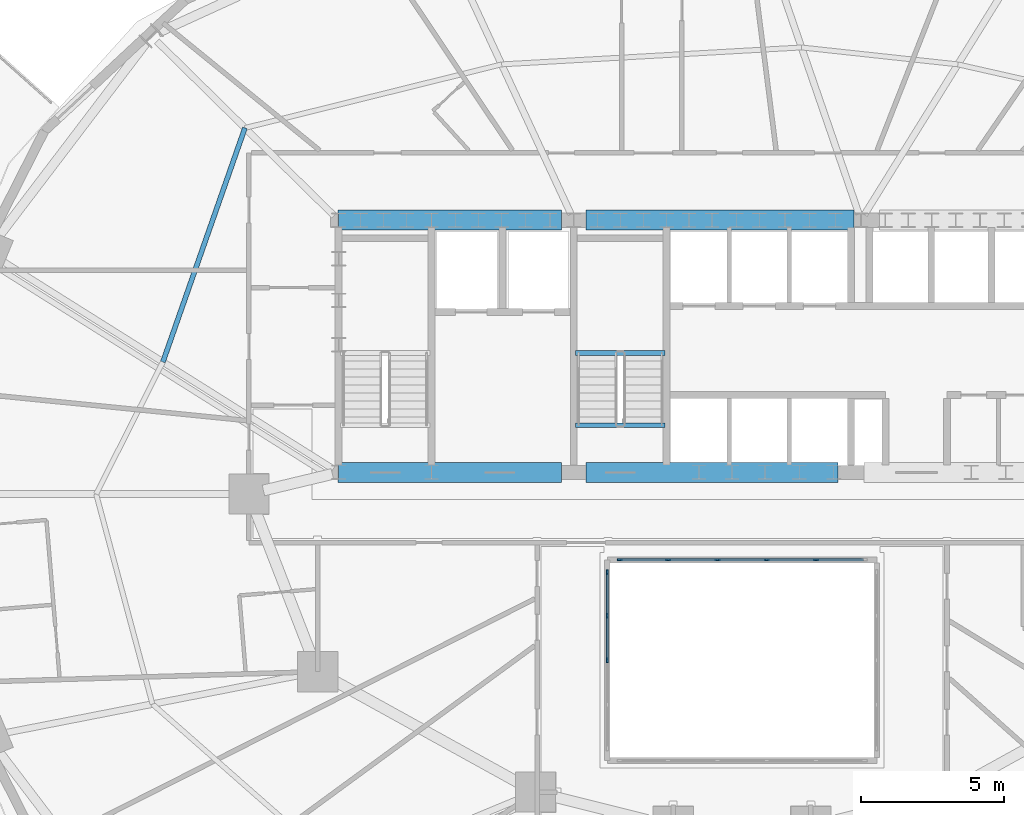
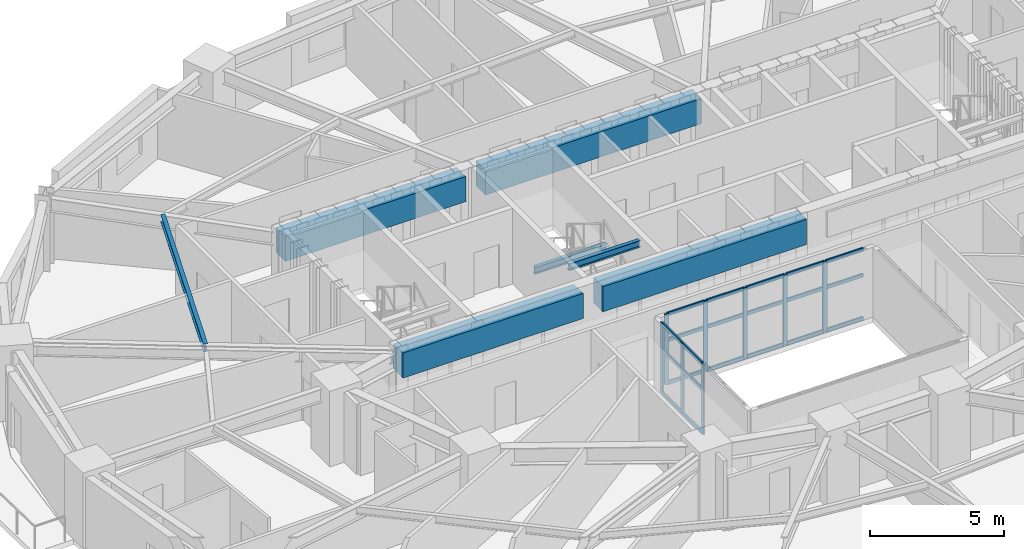
# One storey, part 4 of 15: 29 members, 7 beams, 2 elements without a shape of their own.
"""IFC4 building model written with IfcOpenShell, lengths in metres."""

from ifc_helpers import new_model, si_unit, direction, frame, origin, origin_2d, place, context, subcontext, project, spatial, rectangle, i_section, extrude, material, material_profile, profile_set, type_object, element, aggregate, save


model = new_model("IFC4")

# Units and contexts
model_context = context("Model", 3, precision=1e-05, world=origin(), true_north=direction((0.0, 1.0)))
body_context = subcontext(model_context, "Body", "Model", "MODEL_VIEW")
ifc_project = project(units=[si_unit("LENGTHUNIT", "METRE"), si_unit("AREAUNIT", "SQUARE_METRE"), si_unit("VOLUMEUNIT", "CUBIC_METRE"), si_unit("PLANEANGLEUNIT", "RADIAN"), si_unit("MASSUNIT", "GRAM", prefix="KILO")], contexts=[model_context])

# Site, building, storey
site_placement = place(None, origin())
site = spatial("IfcSite", under=ifc_project, at=site_placement, CompositionType="ELEMENT")
building_placement = place(site_placement, origin())
building = spatial("IfcBuilding", under=site, at=building_placement, Name="Haldorwick Loom Tower", CompositionType="ELEMENT")
storey_placement = place(building_placement, frame((0.0, 0.0, 92.14990234375)))
storey = spatial("IfcBuildingStorey", under=building, at=storey_placement, Name="L24", CompositionType="ELEMENT", Elevation=92.14990234375)

# Curtain wall, members
ifc_material_1 = material(Name="Thermally Broken Anodized Aluminium Curtain Wall Framing", Category="aluminium")
curtain_wall_type = type_object("IfcCurtainWallType", Name="ARC-CW-03", PredefinedType="NOTDEFINED", material=ifc_material_1)
curtain_wall_1_placement = place(storey_placement, origin())
curtain_wall_1 = element("IfcCurtainWall", 1, at=curtain_wall_1_placement, inside=storey, type_object=curtain_wall_type, Name="L24 Atrium Glazed Screen N", PredefinedType="NOTDEFINED")
ifc_material_profile_1 = material_profile(ifc_material_1, rectangle(XDim=0.06591796875, YDim=0.18505859375, at=origin_2d()), Name="ALU_MUL_66X185", Category="aluminium")
ifc_profile_set_1 = profile_set([ifc_material_profile_1], Name="Thermally Broken Anodized Aluminium Curtain Wall Framing")
member_type_1 = type_object("IfcMemberType", Name="ARC-CWM-03", PredefinedType="MULLION", material=ifc_profile_set_1)
member_1_placement = place(storey_placement, frame((31.73291015625, 23.699951171875, 0.0), z_axis=(0.0, 0.0, 1.0), x_axis=(0.0, 1.0, 0.0)))
member_1 = element("IfcMember", 2, at=member_1_placement, type_object=member_type_1, Name="CW-03 mullion 1", PredefinedType="MULLION", context=body_context, shape_type="SweptSolid", body=[
    extrude(rectangle(XDim=0.06591796875, YDim=0.18505859375, at=origin_2d()), origin(), (0.0, 0.0, 1.0), 3.210205078125),
])
member_2_placement = place(storey_placement, frame((33.419921875, 23.699951171875, 0.0), z_axis=(0.0, 0.0, 1.0), x_axis=(0.0, 1.0, 0.0)))
member_2 = element("IfcMember", 3, at=member_2_placement, type_object=member_type_1, Name="CW-03 mullion 2", PredefinedType="MULLION", context=body_context, shape_type="SweptSolid", body=[
    extrude(rectangle(XDim=0.06591796875, YDim=0.18505859375, at=origin_2d()), origin(), (0.0, 0.0, 1.0), 3.210205078125),
])
member_3_placement = place(storey_placement, frame((35.139892578125, 23.699951171875, 0.0), z_axis=(0.0, 0.0, 1.0), x_axis=(0.0, 1.0, 0.0)))
member_3 = element("IfcMember", 4, at=member_3_placement, type_object=member_type_1, Name="CW-03 mullion 3", PredefinedType="MULLION", context=body_context, shape_type="SweptSolid", body=[
    extrude(rectangle(XDim=0.06591796875, YDim=0.18505859375, at=origin_2d()), origin(), (0.0, 0.0, 1.0), 3.210205078125),
])
member_4_placement = place(storey_placement, frame((36.860107421875, 23.699951171875, 0.0), z_axis=(0.0, 0.0, 1.0), x_axis=(0.0, 1.0, 0.0)))
member_4 = element("IfcMember", 5, at=member_4_placement, type_object=member_type_1, Name="CW-03 mullion 4", PredefinedType="MULLION", context=body_context, shape_type="SweptSolid", body=[
    extrude(rectangle(XDim=0.06591796875, YDim=0.18505859375, at=origin_2d()), origin(), (0.0, 0.0, 1.0), 3.210205078125),
])
member_5_placement = place(storey_placement, frame((38.580078125, 23.699951171875, 0.0), z_axis=(0.0, 0.0, 1.0), x_axis=(0.0, 1.0, 0.0)))
member_5 = element("IfcMember", 6, at=member_5_placement, type_object=member_type_1, Name="CW-03 mullion 5", PredefinedType="MULLION", context=body_context, shape_type="SweptSolid", body=[
    extrude(rectangle(XDim=0.06591796875, YDim=0.18505859375, at=origin_2d()), origin(), (0.0, 0.0, 1.0), 3.210205078125),
])

curtain_wall_2_placement = place(storey_placement, origin())
curtain_wall_2 = element("IfcCurtainWall", 7, at=curtain_wall_2_placement, inside=storey, type_object=curtain_wall_type, Name="L24 Atrium Glazed Screen W", PredefinedType="NOTDEFINED")
member_6_placement = place(storey_placement, frame((31.300048828125, 20.199951171875, 0.0), z_axis=(0.0, 0.0, 1.0), x_axis=(-1.0, 0.0, 0.0)))
member_6 = element("IfcMember", 8, at=member_6_placement, type_object=member_type_1, Name="CW-03 mullion 3", PredefinedType="MULLION", context=body_context, shape_type="SweptSolid", body=[
    extrude(rectangle(XDim=0.06591796875, YDim=0.18505859375, at=origin_2d()), origin(), (0.0, 0.0, 1.0), 3.210205078125),
])
member_7_placement = place(storey_placement, frame((31.300048828125, 21.75, 0.0), z_axis=(0.0, 0.0, 1.0), x_axis=(-1.0, 0.0, 0.0)))
member_7 = element("IfcMember", 9, at=member_7_placement, type_object=member_type_1, Name="CW-03 mullion 4", PredefinedType="MULLION", context=body_context, shape_type="SweptSolid", body=[
    extrude(rectangle(XDim=0.06591796875, YDim=0.18505859375, at=origin_2d()), origin(), (0.0, 0.0, 1.0), 3.210205078125),
])
member_8_placement = place(storey_placement, frame((31.300048828125, 23.26708984375, 0.0), z_axis=(0.0, 0.0, 1.0), x_axis=(-1.0, 0.0, 0.0)))
member_8 = element("IfcMember", 10, at=member_8_placement, type_object=member_type_1, Name="CW-03 mullion 5", PredefinedType="MULLION", context=body_context, shape_type="SweptSolid", body=[
    extrude(rectangle(XDim=0.06591796875, YDim=0.18505859375, at=origin_2d()), origin(), (0.0, 0.0, 1.0), 3.210205078125),
])

# Member
ifc_material_profile_2 = material_profile(ifc_material_1, rectangle(XDim=0.06591796875, YDim=0.1650390625, at=origin_2d()), Name="ALU_TRN_66X165", Category="aluminium")
ifc_profile_set_2 = profile_set([ifc_material_profile_2], Name="Thermally Broken Anodized Aluminium Curtain Wall Framing")
member_type_2 = type_object("IfcMemberType", Name="ARC-CWT-03", PredefinedType="USERDEFINED", material=ifc_profile_set_2)
member_9_placement = place(storey_placement, frame((31.76611328125, 23.699951171875, 0.033203125), z_axis=(1.0, 0.0, 0.0), x_axis=(0.0, 1.0, 0.0)))
member_9 = element("IfcMember", 11, at=member_9_placement, type_object=member_type_2, Name="CW-03 transom 1.1", ObjectType="TRANSOM", PredefinedType="USERDEFINED", context=body_context, shape_type="SweptSolid", body=[
    extrude(rectangle(XDim=0.06591796875, YDim=0.1650390625, at=origin_2d()), origin(), (0.0, 0.0, 1.0), 1.620849609375),
])

member_10_placement = place(storey_placement, frame((31.76611328125, 23.699951171875, 2.0), z_axis=(1.0, 0.0, 0.0), x_axis=(0.0, 1.0, 0.0)))
member_10 = element("IfcMember", 12, at=member_10_placement, type_object=member_type_2, Name="CW-03 transom 1.2", ObjectType="TRANSOM", PredefinedType="USERDEFINED", context=body_context, shape_type="SweptSolid", body=[
    extrude(rectangle(XDim=0.06591796875, YDim=0.1650390625, at=origin_2d()), origin(), (0.0, 0.0, 1.0), 1.620849609375),
])

member_11_placement = place(storey_placement, frame((31.76611328125, 23.699951171875, 3.177001953125), z_axis=(1.0, 0.0, 0.0), x_axis=(0.0, 1.0, 0.0)))
member_11 = element("IfcMember", 13, at=member_11_placement, type_object=member_type_2, Name="CW-03 transom 1.3", ObjectType="TRANSOM", PredefinedType="USERDEFINED", context=body_context, shape_type="SweptSolid", body=[
    extrude(rectangle(XDim=0.06591796875, YDim=0.1650390625, at=origin_2d()), origin(), (0.0, 0.0, 1.0), 1.620849609375),
])

member_12_placement = place(storey_placement, frame((33.452880859375, 23.699951171875, 0.033203125), z_axis=(1.0, 0.0, 0.0), x_axis=(0.0, 1.0, 0.0)))
member_12 = element("IfcMember", 14, at=member_12_placement, type_object=member_type_2, Name="CW-03 transom 2.1", ObjectType="TRANSOM", PredefinedType="USERDEFINED", context=body_context, shape_type="SweptSolid", body=[
    extrude(rectangle(XDim=0.06591796875, YDim=0.1650390625, at=origin_2d()), origin(), (0.0, 0.0, 1.0), 1.654052734375),
])

member_13_placement = place(storey_placement, frame((33.452880859375, 23.699951171875, 2.0), z_axis=(1.0, 0.0, 0.0), x_axis=(0.0, 1.0, 0.0)))
member_13 = element("IfcMember", 15, at=member_13_placement, type_object=member_type_2, Name="CW-03 transom 2.2", ObjectType="TRANSOM", PredefinedType="USERDEFINED", context=body_context, shape_type="SweptSolid", body=[
    extrude(rectangle(XDim=0.06591796875, YDim=0.1650390625, at=origin_2d()), origin(), (0.0, 0.0, 1.0), 1.654052734375),
])

member_14_placement = place(storey_placement, frame((33.452880859375, 23.699951171875, 3.177001953125), z_axis=(1.0, 0.0, 0.0), x_axis=(0.0, 1.0, 0.0)))
member_14 = element("IfcMember", 16, at=member_14_placement, type_object=member_type_2, Name="CW-03 transom 2.3", ObjectType="TRANSOM", PredefinedType="USERDEFINED", context=body_context, shape_type="SweptSolid", body=[
    extrude(rectangle(XDim=0.06591796875, YDim=0.1650390625, at=origin_2d()), origin(), (0.0, 0.0, 1.0), 1.654052734375),
])

member_15_placement = place(storey_placement, frame((35.173095703125, 23.699951171875, 0.033203125), z_axis=(1.0, 0.0, 0.0), x_axis=(0.0, 1.0, 0.0)))
member_15 = element("IfcMember", 17, at=member_15_placement, type_object=member_type_2, Name="CW-03 transom 3.1", ObjectType="TRANSOM", PredefinedType="USERDEFINED", context=body_context, shape_type="SweptSolid", body=[
    extrude(rectangle(XDim=0.06591796875, YDim=0.1650390625, at=origin_2d()), origin(), (0.0, 0.0, 1.0), 1.65380859375),
])

member_16_placement = place(storey_placement, frame((35.173095703125, 23.699951171875, 2.0), z_axis=(1.0, 0.0, 0.0), x_axis=(0.0, 1.0, 0.0)))
member_16 = element("IfcMember", 18, at=member_16_placement, type_object=member_type_2, Name="CW-03 transom 3.2", ObjectType="TRANSOM", PredefinedType="USERDEFINED", context=body_context, shape_type="SweptSolid", body=[
    extrude(rectangle(XDim=0.06591796875, YDim=0.1650390625, at=origin_2d()), origin(), (0.0, 0.0, 1.0), 1.65380859375),
])

member_17_placement = place(storey_placement, frame((35.173095703125, 23.699951171875, 3.177001953125), z_axis=(1.0, 0.0, 0.0), x_axis=(0.0, 1.0, 0.0)))
member_17 = element("IfcMember", 19, at=member_17_placement, type_object=member_type_2, Name="CW-03 transom 3.3", ObjectType="TRANSOM", PredefinedType="USERDEFINED", context=body_context, shape_type="SweptSolid", body=[
    extrude(rectangle(XDim=0.06591796875, YDim=0.1650390625, at=origin_2d()), origin(), (0.0, 0.0, 1.0), 1.65380859375),
])

member_18_placement = place(storey_placement, frame((36.89306640625, 23.699951171875, 0.033203125), z_axis=(1.0, 0.0, 0.0), x_axis=(0.0, 1.0, 0.0)))
member_18 = element("IfcMember", 20, at=member_18_placement, type_object=member_type_2, Name="CW-03 transom 4.1", ObjectType="TRANSOM", PredefinedType="USERDEFINED", context=body_context, shape_type="SweptSolid", body=[
    extrude(rectangle(XDim=0.06591796875, YDim=0.1650390625, at=origin_2d()), origin(), (0.0, 0.0, 1.0), 1.654052734375),
])

member_19_placement = place(storey_placement, frame((36.89306640625, 23.699951171875, 2.0), z_axis=(1.0, 0.0, 0.0), x_axis=(0.0, 1.0, 0.0)))
member_19 = element("IfcMember", 21, at=member_19_placement, type_object=member_type_2, Name="CW-03 transom 4.2", ObjectType="TRANSOM", PredefinedType="USERDEFINED", context=body_context, shape_type="SweptSolid", body=[
    extrude(rectangle(XDim=0.06591796875, YDim=0.1650390625, at=origin_2d()), origin(), (0.0, 0.0, 1.0), 1.654052734375),
])

member_20_placement = place(storey_placement, frame((36.89306640625, 23.699951171875, 3.177001953125), z_axis=(1.0, 0.0, 0.0), x_axis=(0.0, 1.0, 0.0)))
member_20 = element("IfcMember", 22, at=member_20_placement, type_object=member_type_2, Name="CW-03 transom 4.3", ObjectType="TRANSOM", PredefinedType="USERDEFINED", context=body_context, shape_type="SweptSolid", body=[
    extrude(rectangle(XDim=0.06591796875, YDim=0.1650390625, at=origin_2d()), origin(), (0.0, 0.0, 1.0), 1.654052734375),
])

member_21_placement = place(storey_placement, frame((38.613037109375, 23.699951171875, 0.033203125), z_axis=(1.0, 0.0, 0.0), x_axis=(0.0, 1.0, 0.0)))
member_21 = element("IfcMember", 23, at=member_21_placement, type_object=member_type_2, Name="CW-03 transom 5.1", ObjectType="TRANSOM", PredefinedType="USERDEFINED", context=body_context, shape_type="SweptSolid", body=[
    extrude(rectangle(XDim=0.06591796875, YDim=0.1650390625, at=origin_2d()), origin(), (0.0, 0.0, 1.0), 1.620849609375),
])

member_22_placement = place(storey_placement, frame((38.613037109375, 23.699951171875, 2.0), z_axis=(1.0, 0.0, 0.0), x_axis=(0.0, 1.0, 0.0)))
member_22 = element("IfcMember", 24, at=member_22_placement, type_object=member_type_2, Name="CW-03 transom 5.2", ObjectType="TRANSOM", PredefinedType="USERDEFINED", context=body_context, shape_type="SweptSolid", body=[
    extrude(rectangle(XDim=0.06591796875, YDim=0.1650390625, at=origin_2d()), origin(), (0.0, 0.0, 1.0), 1.620849609375),
])

member_23_placement = place(storey_placement, frame((38.613037109375, 23.699951171875, 3.177001953125), z_axis=(1.0, 0.0, 0.0), x_axis=(0.0, 1.0, 0.0)))
member_23 = element("IfcMember", 25, at=member_23_placement, type_object=member_type_2, Name="CW-03 transom 5.3", ObjectType="TRANSOM", PredefinedType="USERDEFINED", context=body_context, shape_type="SweptSolid", body=[
    extrude(rectangle(XDim=0.06591796875, YDim=0.1650390625, at=origin_2d()), origin(), (0.0, 0.0, 1.0), 1.620849609375),
])

aggregate(curtain_wall_1, [member_1, member_2, member_3, member_4, member_5, member_9, member_10, member_11, member_12, member_13, member_14, member_15, member_16, member_17, member_18, member_19, member_20, member_21, member_22, member_23])

member_24_placement = place(storey_placement, frame((31.300048828125, 20.23291015625, 0.033203125), z_axis=(0.0, 1.0, 0.0), x_axis=(-1.0, 0.0, 0.0)))
member_24 = element("IfcMember", 26, at=member_24_placement, type_object=member_type_2, Name="CW-03 transom 3.1", ObjectType="TRANSOM", PredefinedType="USERDEFINED", context=body_context, shape_type="SweptSolid", body=[
    extrude(rectangle(XDim=0.06591796875, YDim=0.1650390625, at=origin_2d()), origin(), (0.0, 0.0, 1.0), 1.484130859375),
])

member_25_placement = place(storey_placement, frame((31.300048828125, 20.23291015625, 2.0), z_axis=(0.0, 1.0, 0.0), x_axis=(-1.0, 0.0, 0.0)))
member_25 = element("IfcMember", 27, at=member_25_placement, type_object=member_type_2, Name="CW-03 transom 3.2", ObjectType="TRANSOM", PredefinedType="USERDEFINED", context=body_context, shape_type="SweptSolid", body=[
    extrude(rectangle(XDim=0.06591796875, YDim=0.1650390625, at=origin_2d()), origin(), (0.0, 0.0, 1.0), 1.484130859375),
])

member_26_placement = place(storey_placement, frame((31.300048828125, 20.23291015625, 3.177001953125), z_axis=(0.0, 1.0, 0.0), x_axis=(-1.0, 0.0, 0.0)))
member_26 = element("IfcMember", 28, at=member_26_placement, type_object=member_type_2, Name="CW-03 transom 3.3", ObjectType="TRANSOM", PredefinedType="USERDEFINED", context=body_context, shape_type="SweptSolid", body=[
    extrude(rectangle(XDim=0.06591796875, YDim=0.1650390625, at=origin_2d()), origin(), (0.0, 0.0, 1.0), 1.484130859375),
])

member_27_placement = place(storey_placement, frame((31.300048828125, 21.782958984375, 0.033203125), z_axis=(0.0, 1.0, 0.0), x_axis=(-1.0, 0.0, 0.0)))
member_27 = element("IfcMember", 29, at=member_27_placement, type_object=member_type_2, Name="CW-03 transom 4.1", ObjectType="TRANSOM", PredefinedType="USERDEFINED", context=body_context, shape_type="SweptSolid", body=[
    extrude(rectangle(XDim=0.06591796875, YDim=0.1650390625, at=origin_2d()), origin(), (0.0, 0.0, 1.0), 1.450927734375),
])

member_28_placement = place(storey_placement, frame((31.300048828125, 21.782958984375, 2.0), z_axis=(0.0, 1.0, 0.0), x_axis=(-1.0, 0.0, 0.0)))
member_28 = element("IfcMember", 30, at=member_28_placement, type_object=member_type_2, Name="CW-03 transom 4.2", ObjectType="TRANSOM", PredefinedType="USERDEFINED", context=body_context, shape_type="SweptSolid", body=[
    extrude(rectangle(XDim=0.06591796875, YDim=0.1650390625, at=origin_2d()), origin(), (0.0, 0.0, 1.0), 1.450927734375),
])

member_29_placement = place(storey_placement, frame((31.300048828125, 21.782958984375, 3.177001953125), z_axis=(0.0, 1.0, 0.0), x_axis=(-1.0, 0.0, 0.0)))
member_29 = element("IfcMember", 31, at=member_29_placement, type_object=member_type_2, Name="CW-03 transom 4.3", ObjectType="TRANSOM", PredefinedType="USERDEFINED", context=body_context, shape_type="SweptSolid", body=[
    extrude(rectangle(XDim=0.06591796875, YDim=0.1650390625, at=origin_2d()), origin(), (0.0, 0.0, 1.0), 1.450927734375),
])

aggregate(curtain_wall_2, [member_6, member_7, member_8, member_24, member_25, member_26, member_27, member_28, member_29])

# Beams
ifc_material_2 = material(Name="Concrete C60 (60 MPa)", Category="concrete")
ifc_material_profile_3 = material_profile(ifc_material_2, rectangle(XDim=0.699951171875, YDim=1.14990234375, at=origin_2d()), Name="RC700X1150", Category="concrete")
ifc_profile_set_3 = profile_set([ifc_material_profile_3], Name="Concrete C60 (60 MPa)")
beam_type_1 = type_object("IfcBeamType", Name="STR-BM-CB1150", PredefinedType="LINTEL", material=ifc_profile_set_3)
beam_1_placement = place(storey_placement, frame((21.89990234375, 35.550048828125, 2.635009765625), z_axis=(1.0, 0.0, 0.0), x_axis=(0.0, 1.0, 0.0)))
element("IfcBeam", 32, at=beam_1_placement, inside=storey, type_object=beam_type_1, Name="L24 Core Coupling Beam CB-N1", PredefinedType="LINTEL", context=body_context, shape_type="SweptSolid", body=[
    extrude(rectangle(XDim=0.699951171875, YDim=1.14990234375, at=origin_2d()), origin(), (0.0, 0.0, 1.0), 7.800048828125),
])
beam_2_placement = place(storey_placement, frame((30.550048828125, 35.550048828125, 2.635009765625), z_axis=(1.0, 0.0, 0.0), x_axis=(0.0, 1.0, 0.0)))
element("IfcBeam", 33, at=beam_2_placement, inside=storey, type_object=beam_type_1, Name="L24 Core Coupling Beam CB-N2", PredefinedType="LINTEL", context=body_context, shape_type="SweptSolid", body=[
    extrude(rectangle(XDim=0.699951171875, YDim=1.14990234375, at=origin_2d()), origin(), (0.0, 0.0, 1.0), 9.349853515625),
])
beam_3_placement = place(storey_placement, frame((21.89990234375, 26.75, 2.635009765625), z_axis=(1.0, 0.0, 0.0), x_axis=(0.0, 1.0, 0.0)))
element("IfcBeam", 34, at=beam_3_placement, inside=storey, type_object=beam_type_1, Name="L24 Core Coupling Beam CB-S1", PredefinedType="LINTEL", context=body_context, shape_type="SweptSolid", body=[
    extrude(rectangle(XDim=0.699951171875, YDim=1.14990234375, at=origin_2d()), origin(), (0.0, 0.0, 1.0), 7.800048828125),
])
beam_4_placement = place(storey_placement, frame((30.550048828125, 26.75, 2.635009765625), z_axis=(1.0, 0.0, 0.0), x_axis=(0.0, 1.0, 0.0)))
element("IfcBeam", 35, at=beam_4_placement, inside=storey, type_object=beam_type_1, Name="L24 Core Coupling Beam CB-S2", PredefinedType="LINTEL", context=body_context, shape_type="SweptSolid", body=[
    extrude(rectangle(XDim=0.699951171875, YDim=1.14990234375, at=origin_2d()), origin(), (0.0, 0.0, 1.0), 8.800048828125),
])
ifc_material_3 = material(Name="Steel CSA G40.21 350W", Category="steel")
ifc_material_profile_4 = material_profile(ifc_material_3, i_section(OverallWidth=0.172119140625, OverallDepth=0.35791015625, WebThickness=0.0078125, FlangeThickness=0.01318359375, at=origin_2d()), Name="W360X57", Category="steel")
ifc_profile_set_4 = profile_set([ifc_material_profile_4], Name="Steel CSA G40.21 350W")
beam_type_2 = type_object("IfcBeamType", Name="STR-BM-J360", PredefinedType="JOIST", material=ifc_profile_set_4)
beam_5_placement = place(storey_placement, frame((18.66162109375, 38.765869140625, 3.031005859375), z_axis=(-0.330864603503, -0.943678236556, 0.0), x_axis=(0.943678236556, -0.330864603503, 0.0)))
element("IfcBeam", 36, at=beam_5_placement, inside=storey, type_object=beam_type_2, Name="L24 Mid-Bay Secondary Joist 7", PredefinedType="JOIST", context=body_context, shape_type="SweptSolid", body=[
    extrude(i_section(OverallWidth=0.172119140625, OverallDepth=0.35791015625, WebThickness=0.0078125, FlangeThickness=0.01318359375, at=origin_2d()), origin(), (0.0, 0.0, 1.0), 8.6494140625),
])
ifc_material_profile_5 = material_profile(ifc_material_3, i_section(OverallWidth=0.166015625, OverallDepth=0.31298828125, WebThickness=0.006591796875, FlangeThickness=0.01123046875, at=origin_2d()), Name="W310X45", Category="steel")
ifc_profile_set_5 = profile_set([ifc_material_profile_5], Name="Steel CSA G40.21 350W")
beam_type_3 = type_object("IfcBeamType", Name="STR-BM-STRM", PredefinedType="BEAM", material=ifc_profile_set_5)
for number, where, z_axis, x_axis, name in (
    (37, (30.18994140625, 28.39990234375, 3.0537109375), (1.0, 0.0, 0.0), (0.0, 1.0, 0.0), "L24 Stair ST-03 Landing Edge Trimmer"),
    (38, (30.18994140625, 30.919921875, 1.36865234375), (1.0, 0.0, 0.0), (0.0, 1.0, 0.0), "L24 Stair ST-03 Half-Landing Trimmer 1"),
):
    element("IfcBeam", number, at=place(storey_placement, frame(where, z_axis=z_axis, x_axis=x_axis)), inside=storey, type_object=beam_type_3, Name=name, PredefinedType="BEAM", context=body_context, shape_type="SweptSolid", body=[
        extrude(i_section(OverallWidth=0.166015625, OverallDepth=0.31298828125, WebThickness=0.006591796875, FlangeThickness=0.01123046875, at=origin_2d()), origin(), (0.0, 0.0, 1.0), 3.1201171875),
    ])

save(model, "model.ifc")
